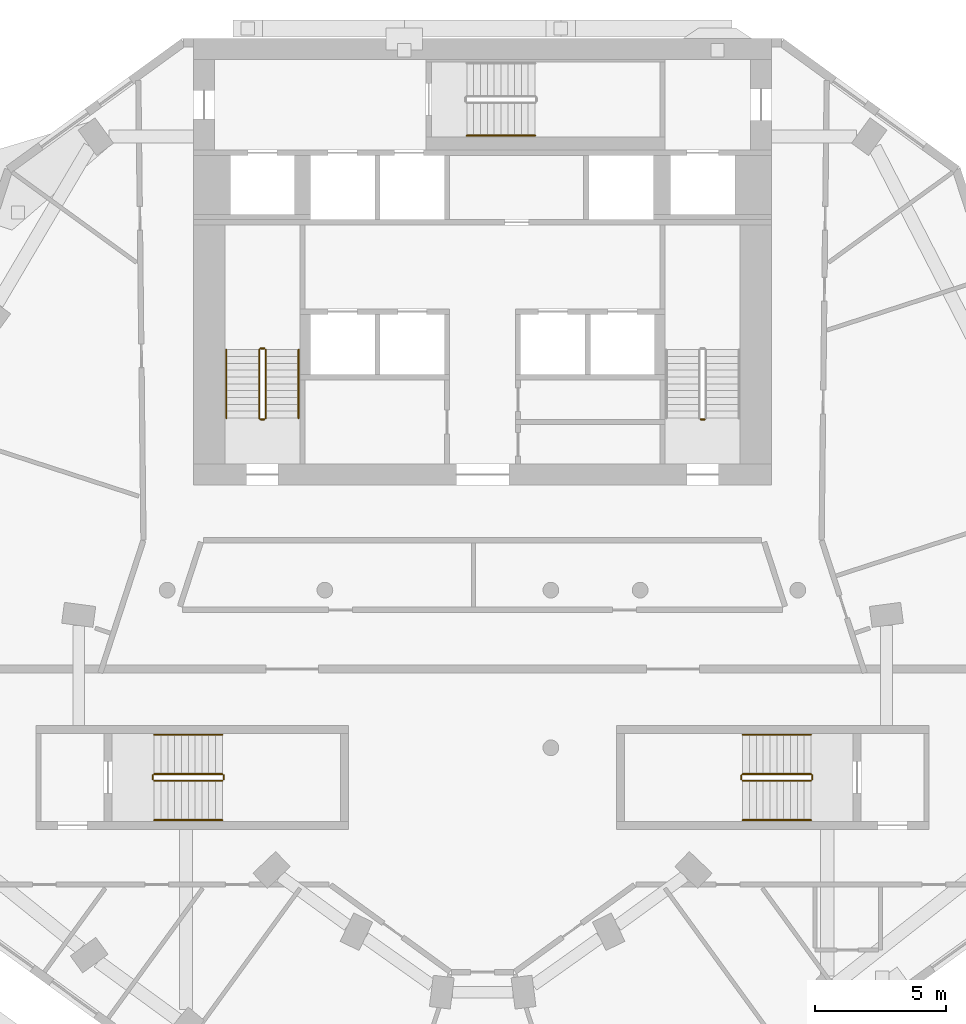
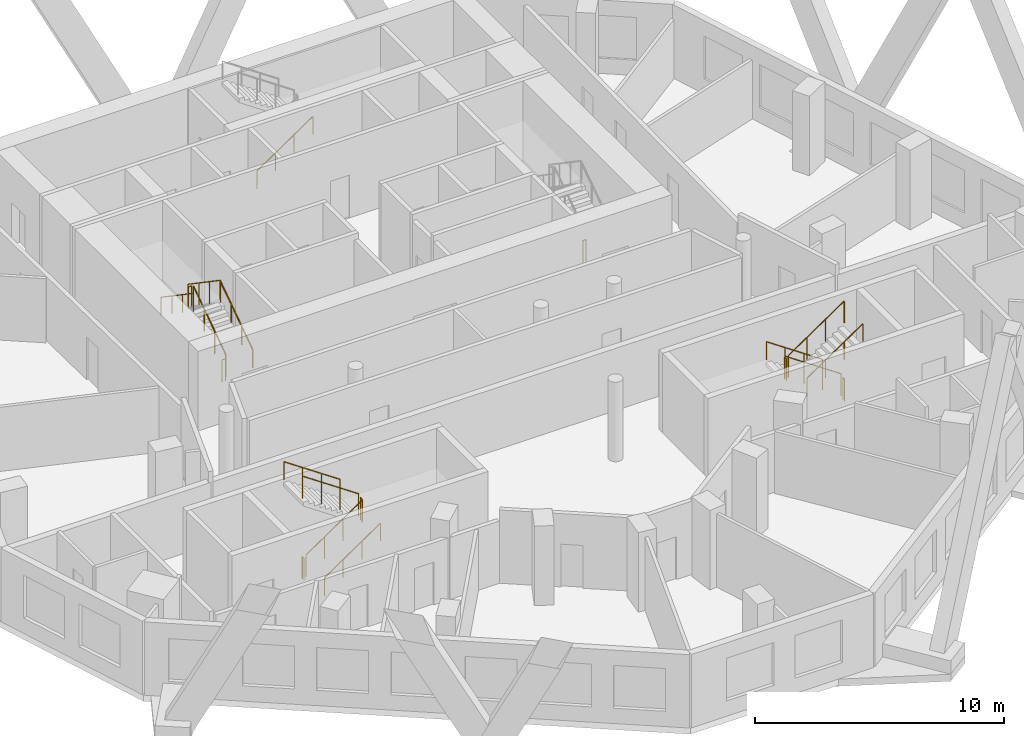
# One storey, part 9 of 10: 20 railings.
"""IFC4 building model written with IfcOpenShell, lengths in metres."""

from ifc_helpers import new_model, si_unit, direction, frame, origin, origin_2d, place, context, subcontext, project, spatial, circle, extrude, material, type_object, element, save


model = new_model("IFC4")

# Units and contexts
model_context = context("Model", 3, precision=1e-05, world=origin(), true_north=direction((0.0, 1.0)))
body_context = subcontext(model_context, "Body", "Model", "MODEL_VIEW")
ifc_project = project(units=[si_unit("LENGTHUNIT", "METRE"), si_unit("AREAUNIT", "SQUARE_METRE"), si_unit("VOLUMEUNIT", "CUBIC_METRE"), si_unit("PLANEANGLEUNIT", "RADIAN"), si_unit("MASSUNIT", "GRAM", prefix="KILO")], contexts=[model_context])

# Site, building, storey
site_placement = place(None, origin())
site = spatial("IfcSite", under=ifc_project, at=site_placement, CompositionType="ELEMENT")
building_placement = place(site_placement, origin())
building = spatial("IfcBuilding", under=site, at=building_placement, Name="White Candle Pilgrim Tower", CompositionType="ELEMENT")
storey_placement = place(building_placement, frame((0.0, 0.0, 219.89990234375)))
storey = spatial("IfcBuildingStorey", under=building, at=storey_placement, Name="L51", CompositionType="ELEMENT", Elevation=219.89990234375)

# Railings
ifc_material = material(Name="Stainless steel", Category="steel")
railing_type_1 = type_object("IfcRailingType", Name="Stair guard stainless steel 1100 mm", PredefinedType="GUARDRAIL", material=ifc_material)
railing_1_placement = place(storey_placement, frame((61.75, 73.550048828125, 0.177490234375)))
element("IfcRailing", 1, at=railing_1_placement, inside=storey, type_object=railing_type_1, Name="L51 ST1 stair guard 1", PredefinedType="GUARDRAIL", context=body_context, shape_type="SweptSolid", body=[
    extrude(circle(Radius=0.02392578125, at=origin_2d()), frame((0.0, 0.0, 1.076171875), z_axis=(0.0, 0.826215852431, 0.563353676824), x_axis=(-1.0, 0.0, 0.0)), (0.0, 0.0, 1.0), 3.146728515625),
    extrude(circle(Radius=0.02099609375, at=origin_2d()), origin(), (0.0, 0.0, 1.0), 1.052001953125),
    extrude(circle(Radius=0.02099609375, at=origin_2d()), frame((0.0, 0.86669921875, 0.5908203125)), (0.0, 0.0, 1.0), 1.052001953125),
    extrude(circle(Radius=0.02099609375, at=origin_2d()), frame((0.0, 1.733154296875, 1.181884765625)), (0.0, 0.0, 1.0), 1.052001953125),
    extrude(circle(Radius=0.02099609375, at=origin_2d()), frame((0.0, 2.599853515625, 1.772705078125)), (0.0, 0.0, 1.0), 1.052001953125),
])
railing_2_placement = place(storey_placement, frame((61.699951171875, 76.199951171875, 1.9501953125)))
element("IfcRailing", 2, at=railing_2_placement, inside=storey, type_object=railing_type_1, Name="L51 ST1 stair guard 2", PredefinedType="GUARDRAIL", context=body_context, shape_type="SweptSolid", body=[
    extrude(circle(Radius=0.02392578125, at=origin_2d()), frame((0.0, 0.0, 1.076171875), z_axis=(-1.0, 0.0, 0.0), x_axis=(0.0, -1.0, 0.0)), (0.0, 0.0, 1.0), 0.14990234375),
    extrude(circle(Radius=0.02099609375, at=origin_2d()), origin(), (0.0, 0.0, 1.0), 1.052001953125),
    extrude(circle(Radius=0.02099609375, at=origin_2d()), frame((-0.14990234375, 0.0, 0.0)), (0.0, 0.0, 1.0), 1.052001953125),
])
railing_3_placement = place(storey_placement, frame((61.5, 76.14990234375, 2.12744140625)))
element("IfcRailing", 3, at=railing_3_placement, inside=storey, type_object=railing_type_1, Name="L51 ST1 stair guard 3", PredefinedType="GUARDRAIL", context=body_context, shape_type="SweptSolid", body=[
    extrude(circle(Radius=0.02392578125, at=origin_2d()), frame((0.0, 0.0, 1.076171875), z_axis=(0.0, -0.826215852431, 0.563353676824), x_axis=(1.0, 0.0, 0.0)), (0.0, 0.0, 1.0), 3.146728515625),
    extrude(circle(Radius=0.02099609375, at=origin_2d()), origin(), (0.0, 0.0, 1.0), 1.052001953125),
    extrude(circle(Radius=0.02099609375, at=origin_2d()), frame((0.0, -0.86669921875, 0.5908203125)), (0.0, 0.0, 1.0), 1.052001953125),
    extrude(circle(Radius=0.02099609375, at=origin_2d()), frame((0.0, -1.733154296875, 1.181884765625)), (0.0, 0.0, 1.0), 1.052001953125),
    extrude(circle(Radius=0.02099609375, at=origin_2d()), frame((0.0, -2.599853515625, 1.772705078125)), (0.0, 0.0, 1.0), 1.052001953125),
])
for number, where, name in (
    (4, (61.699951171875, 73.5, 0.0), "L51 ST1 stair guard 4"),
    (5, (78.449951171875, 73.5, 0.0), "L51 ST2 stair guard 4"),
):
    element("IfcRailing", number, at=place(storey_placement, frame(where)), inside=storey, type_object=railing_type_1, Name=name, PredefinedType="GUARDRAIL", context=body_context, shape_type="SweptSolid", body=[
        extrude(circle(Radius=0.02392578125, at=origin_2d()), frame((0.0, 0.0, 1.076171875), z_axis=(-1.0, 0.0, 0.0), x_axis=(0.0, -1.0, 0.0)), (0.0, 0.0, 1.0), 0.14990234375),
        extrude(circle(Radius=0.02099609375, at=origin_2d()), origin(), (0.0, 0.0, 1.0), 1.052001953125),
        extrude(circle(Radius=0.02099609375, at=origin_2d()), frame((-0.14990234375, 0.0, 0.0)), (0.0, 0.0, 1.0), 1.052001953125),
    ])
railing_4_placement = place(storey_placement, frame((82.5, 60.0, 0.177490234375)))
element("IfcRailing", 6, at=railing_4_placement, inside=storey, type_object=railing_type_1, Name="L51 ST4 stair guard 1", PredefinedType="GUARDRAIL", context=body_context, shape_type="SweptSolid", body=[
    extrude(circle(Radius=0.02392578125, at=origin_2d()), frame((0.0, 0.0, 1.076171875), z_axis=(-0.826240473404, 0.0, 0.563317565952), x_axis=(0.0, -1.0, 0.0)), (0.0, 0.0, 1.0), 3.14697265625),
    extrude(circle(Radius=0.02099609375, at=origin_2d()), origin(), (0.0, 0.0, 1.0), 1.052001953125),
    extrude(circle(Radius=0.02099609375, at=origin_2d()), frame((-0.86669921875, 0.0, 0.5908203125)), (0.0, 0.0, 1.0), 1.052001953125),
    extrude(circle(Radius=0.02099609375, at=origin_2d()), frame((-1.7333984375, 0.0, 1.181884765625)), (0.0, 0.0, 1.0), 1.052001953125),
    extrude(circle(Radius=0.02099609375, at=origin_2d()), frame((-2.60009765625, 0.0, 1.772705078125)), (0.0, 0.0, 1.0), 1.052001953125),
])
railing_5_placement = place(storey_placement, frame((79.85009765625, 59.949951171875, 1.9501953125)))
element("IfcRailing", 7, at=railing_5_placement, inside=storey, type_object=railing_type_1, Name="L51 ST4 stair guard 2", PredefinedType="GUARDRAIL", context=body_context, shape_type="SweptSolid", body=[
    extrude(circle(Radius=0.02392578125, at=origin_2d()), frame((0.0, 0.0, 1.076171875), z_axis=(0.0, -1.0, 0.0), x_axis=(1.0, 0.0, 0.0)), (0.0, 0.0, 1.0), 0.14990234375),
    extrude(circle(Radius=0.02099609375, at=origin_2d()), origin(), (0.0, 0.0, 1.0), 1.052001953125),
    extrude(circle(Radius=0.02099609375, at=origin_2d()), frame((0.0, -0.14990234375, 0.0)), (0.0, 0.0, 1.0), 1.052001953125),
])
railing_6_placement = place(storey_placement, frame((79.89990234375, 59.75, 2.12744140625)))
element("IfcRailing", 8, at=railing_6_placement, inside=storey, type_object=railing_type_1, Name="L51 ST4 stair guard 3", PredefinedType="GUARDRAIL", context=body_context, shape_type="SweptSolid", body=[
    extrude(circle(Radius=0.02392578125, at=origin_2d()), frame((0.0, 0.0, 1.076171875), z_axis=(0.826240473404, 0.0, 0.563317565952), x_axis=(0.0, 1.0, 0.0)), (0.0, 0.0, 1.0), 3.14697265625),
    extrude(circle(Radius=0.02099609375, at=origin_2d()), origin(), (0.0, 0.0, 1.0), 1.052001953125),
    extrude(circle(Radius=0.02099609375, at=origin_2d()), frame((0.86669921875, 0.0, 0.5908203125)), (0.0, 0.0, 1.0), 1.052001953125),
    extrude(circle(Radius=0.02099609375, at=origin_2d()), frame((1.7333984375, 0.0, 1.181884765625)), (0.0, 0.0, 1.0), 1.052001953125),
    extrude(circle(Radius=0.02099609375, at=origin_2d()), frame((2.60009765625, 0.0, 1.772705078125)), (0.0, 0.0, 1.0), 1.052001953125),
])
railing_7_placement = place(storey_placement, frame((82.550048828125, 59.949951171875, 0.0)))
element("IfcRailing", 9, at=railing_7_placement, inside=storey, type_object=railing_type_1, Name="L51 ST4 stair guard 4", PredefinedType="GUARDRAIL", context=body_context, shape_type="SweptSolid", body=[
    extrude(circle(Radius=0.02392578125, at=origin_2d()), frame((0.0, 0.0, 1.076171875), z_axis=(0.0, -1.0, 0.0), x_axis=(1.0, 0.0, 0.0)), (0.0, 0.0, 1.0), 0.14990234375),
    extrude(circle(Radius=0.02099609375, at=origin_2d()), origin(), (0.0, 0.0, 1.0), 1.052001953125),
    extrude(circle(Radius=0.02099609375, at=origin_2d()), frame((0.0, -0.14990234375, 0.0)), (0.0, 0.0, 1.0), 1.052001953125),
])
railing_8_placement = place(storey_placement, frame((57.5, 59.75, 0.177490234375)))
element("IfcRailing", 10, at=railing_8_placement, inside=storey, type_object=railing_type_1, Name="L51 ST5 stair guard 1", PredefinedType="GUARDRAIL", context=body_context, shape_type="SweptSolid", body=[
    extrude(circle(Radius=0.02392578125, at=origin_2d()), frame((0.0, 0.0, 1.076171875), z_axis=(0.826240473404, 0.0, 0.563317565952), x_axis=(0.0, 1.0, 0.0)), (0.0, 0.0, 1.0), 3.14697265625),
    extrude(circle(Radius=0.02099609375, at=origin_2d()), origin(), (0.0, 0.0, 1.0), 1.052001953125),
    extrude(circle(Radius=0.02099609375, at=origin_2d()), frame((0.86669921875, 0.0, 0.5908203125)), (0.0, 0.0, 1.0), 1.052001953125),
    extrude(circle(Radius=0.02099609375, at=origin_2d()), frame((1.7333984375, 0.0, 1.181884765625)), (0.0, 0.0, 1.0), 1.052001953125),
    extrude(circle(Radius=0.02099609375, at=origin_2d()), frame((2.60009765625, 0.0, 1.772705078125)), (0.0, 0.0, 1.0), 1.052001953125),
])
railing_9_placement = place(storey_placement, frame((60.14990234375, 59.800048828125, 1.9501953125)))
element("IfcRailing", 11, at=railing_9_placement, inside=storey, type_object=railing_type_1, Name="L51 ST5 stair guard 2", PredefinedType="GUARDRAIL", context=body_context, shape_type="SweptSolid", body=[
    extrude(circle(Radius=0.02392578125, at=origin_2d()), frame((0.0, 0.0, 1.076171875), z_axis=(0.0, 1.0, 0.0), x_axis=(-1.0, 0.0, 0.0)), (0.0, 0.0, 1.0), 0.14990234375),
    extrude(circle(Radius=0.02099609375, at=origin_2d()), origin(), (0.0, 0.0, 1.0), 1.052001953125),
    extrude(circle(Radius=0.02099609375, at=origin_2d()), frame((0.0, 0.14990234375, 0.0)), (0.0, 0.0, 1.0), 1.052001953125),
])
railing_10_placement = place(storey_placement, frame((60.10009765625, 60.0, 2.12744140625)))
element("IfcRailing", 12, at=railing_10_placement, inside=storey, type_object=railing_type_1, Name="L51 ST5 stair guard 3", PredefinedType="GUARDRAIL", context=body_context, shape_type="SweptSolid", body=[
    extrude(circle(Radius=0.02392578125, at=origin_2d()), frame((0.0, 0.0, 1.076171875), z_axis=(-0.826240473404, 0.0, 0.563317565952), x_axis=(0.0, -1.0, 0.0)), (0.0, 0.0, 1.0), 3.14697265625),
    extrude(circle(Radius=0.02099609375, at=origin_2d()), origin(), (0.0, 0.0, 1.0), 1.052001953125),
    extrude(circle(Radius=0.02099609375, at=origin_2d()), frame((-0.86669921875, 0.0, 0.5908203125)), (0.0, 0.0, 1.0), 1.052001953125),
    extrude(circle(Radius=0.02099609375, at=origin_2d()), frame((-1.7333984375, 0.0, 1.181884765625)), (0.0, 0.0, 1.0), 1.052001953125),
    extrude(circle(Radius=0.02099609375, at=origin_2d()), frame((-2.60009765625, 0.0, 1.772705078125)), (0.0, 0.0, 1.0), 1.052001953125),
])
railing_11_placement = place(storey_placement, frame((57.449951171875, 59.800048828125, 0.0)))
element("IfcRailing", 13, at=railing_11_placement, inside=storey, type_object=railing_type_1, Name="L51 ST5 stair guard 4", PredefinedType="GUARDRAIL", context=body_context, shape_type="SweptSolid", body=[
    extrude(circle(Radius=0.02392578125, at=origin_2d()), frame((0.0, 0.0, 1.076171875), z_axis=(0.0, 1.0, 0.0), x_axis=(-1.0, 0.0, 0.0)), (0.0, 0.0, 1.0), 0.14990234375),
    extrude(circle(Radius=0.02099609375, at=origin_2d()), origin(), (0.0, 0.0, 1.0), 1.052001953125),
    extrude(circle(Radius=0.02099609375, at=origin_2d()), frame((0.0, 0.14990234375, 0.0)), (0.0, 0.0, 1.0), 1.052001953125),
])
railing_type_2 = type_object("IfcRailingType", Name="Stair handrail stainless steel", PredefinedType="HANDRAIL", material=ifc_material)
railing_12_placement = place(storey_placement, frame((63.0, 73.550048828125, 0.177490234375)))
element("IfcRailing", 14, at=railing_12_placement, inside=storey, type_object=railing_type_2, Name="L51 ST1 stair handrail 1", PredefinedType="HANDRAIL", context=body_context, shape_type="SweptSolid", body=[
    extrude(circle(Radius=0.02392578125, at=origin_2d()), frame((0.0, 0.0, 0.8759765625), z_axis=(0.0, 0.826215852431, 0.563353676824), x_axis=(-1.0, 0.0, 0.0)), (0.0, 0.0, 1.0), 3.146728515625),
    extrude(circle(Radius=0.02099609375, at=origin_2d()), origin(), (0.0, 0.0, 1.0), 0.851806640625),
    extrude(circle(Radius=0.02099609375, at=origin_2d()), frame((0.0, 0.86669921875, 0.5908203125)), (0.0, 0.0, 1.0), 0.851806640625),
    extrude(circle(Radius=0.02099609375, at=origin_2d()), frame((0.0, 1.733154296875, 1.181884765625)), (0.0, 0.0, 1.0), 0.851806640625),
    extrude(circle(Radius=0.02099609375, at=origin_2d()), frame((0.0, 2.599853515625, 1.772705078125)), (0.0, 0.0, 1.0), 0.851806640625),
])
railing_13_placement = place(storey_placement, frame((60.25, 76.14990234375, 2.12744140625)))
element("IfcRailing", 15, at=railing_13_placement, inside=storey, type_object=railing_type_2, Name="L51 ST1 stair handrail 2", PredefinedType="HANDRAIL", context=body_context, shape_type="SweptSolid", body=[
    extrude(circle(Radius=0.02392578125, at=origin_2d()), frame((0.0, 0.0, 0.8759765625), z_axis=(0.0, -0.826215852431, 0.563353676824), x_axis=(1.0, 0.0, 0.0)), (0.0, 0.0, 1.0), 3.146728515625),
    extrude(circle(Radius=0.02099609375, at=origin_2d()), origin(), (0.0, 0.0, 1.0), 0.851806640625),
    extrude(circle(Radius=0.02099609375, at=origin_2d()), frame((0.0, -0.86669921875, 0.5908203125)), (0.0, 0.0, 1.0), 0.851806640625),
    extrude(circle(Radius=0.02099609375, at=origin_2d()), frame((0.0, -1.733154296875, 1.181884765625)), (0.0, 0.0, 1.0), 0.851806640625),
    extrude(circle(Radius=0.02099609375, at=origin_2d()), frame((0.0, -2.599853515625, 1.772705078125)), (0.0, 0.0, 1.0), 0.851806640625),
])
railing_14_placement = place(storey_placement, frame((69.39990234375, 84.300048828125, 0.177490234375)))
element("IfcRailing", 16, at=railing_14_placement, inside=storey, type_object=railing_type_2, Name="L51 ST3 stair handrail 1", PredefinedType="HANDRAIL", context=body_context, shape_type="SweptSolid", body=[
    extrude(circle(Radius=0.02392578125, at=origin_2d()), frame((0.0, 0.0, 0.8759765625), z_axis=(0.826240473404, 0.0, 0.563317565952), x_axis=(0.0, 1.0, 0.0)), (0.0, 0.0, 1.0), 3.14697265625),
    extrude(circle(Radius=0.02099609375, at=origin_2d()), origin(), (0.0, 0.0, 1.0), 0.851806640625),
    extrude(circle(Radius=0.02099609375, at=origin_2d()), frame((0.86669921875, 0.0, 0.5908203125)), (0.0, 0.0, 1.0), 0.851806640625),
    extrude(circle(Radius=0.02099609375, at=origin_2d()), frame((1.7333984375, 0.0, 1.181884765625)), (0.0, 0.0, 1.0), 0.851806640625),
    extrude(circle(Radius=0.02099609375, at=origin_2d()), frame((2.60009765625, 0.0, 1.772705078125)), (0.0, 0.0, 1.0), 0.851806640625),
])
railing_15_placement = place(storey_placement, frame((82.5, 61.5, 0.177490234375)))
element("IfcRailing", 17, at=railing_15_placement, inside=storey, type_object=railing_type_2, Name="L51 ST4 stair handrail 1", PredefinedType="HANDRAIL", context=body_context, shape_type="SweptSolid", body=[
    extrude(circle(Radius=0.02392578125, at=origin_2d()), frame((0.0, 0.0, 0.8759765625), z_axis=(-0.826240473404, 0.0, 0.563317565952), x_axis=(0.0, -1.0, 0.0)), (0.0, 0.0, 1.0), 3.14697265625),
    extrude(circle(Radius=0.02099609375, at=origin_2d()), origin(), (0.0, 0.0, 1.0), 0.851806640625),
    extrude(circle(Radius=0.02099609375, at=origin_2d()), frame((-0.86669921875, 0.0, 0.5908203125)), (0.0, 0.0, 1.0), 0.851806640625),
    extrude(circle(Radius=0.02099609375, at=origin_2d()), frame((-1.7333984375, 0.0, 1.181884765625)), (0.0, 0.0, 1.0), 0.851806640625),
    extrude(circle(Radius=0.02099609375, at=origin_2d()), frame((-2.60009765625, 0.0, 1.772705078125)), (0.0, 0.0, 1.0), 0.851806640625),
])
for number, where, name in (
    (18, (79.89990234375, 58.25, 2.12744140625), "L51 ST4 stair handrail 2"),
    (19, (57.5, 58.25, 0.177490234375), "L51 ST5 stair handrail 1"),
):
    element("IfcRailing", number, at=place(storey_placement, frame(where)), inside=storey, type_object=railing_type_2, Name=name, PredefinedType="HANDRAIL", context=body_context, shape_type="SweptSolid", body=[
        extrude(circle(Radius=0.02392578125, at=origin_2d()), frame((0.0, 0.0, 0.8759765625), z_axis=(0.826240473404, 0.0, 0.563317565952), x_axis=(0.0, 1.0, 0.0)), (0.0, 0.0, 1.0), 3.14697265625),
        extrude(circle(Radius=0.02099609375, at=origin_2d()), origin(), (0.0, 0.0, 1.0), 0.851806640625),
        extrude(circle(Radius=0.02099609375, at=origin_2d()), frame((0.86669921875, 0.0, 0.5908203125)), (0.0, 0.0, 1.0), 0.851806640625),
        extrude(circle(Radius=0.02099609375, at=origin_2d()), frame((1.7333984375, 0.0, 1.181884765625)), (0.0, 0.0, 1.0), 0.851806640625),
        extrude(circle(Radius=0.02099609375, at=origin_2d()), frame((2.60009765625, 0.0, 1.772705078125)), (0.0, 0.0, 1.0), 0.851806640625),
    ])
railing_16_placement = place(storey_placement, frame((60.10009765625, 61.5, 2.12744140625)))
element("IfcRailing", 20, at=railing_16_placement, inside=storey, type_object=railing_type_2, Name="L51 ST5 stair handrail 2", PredefinedType="HANDRAIL", context=body_context, shape_type="SweptSolid", body=[
    extrude(circle(Radius=0.02392578125, at=origin_2d()), frame((0.0, 0.0, 0.8759765625), z_axis=(-0.826240473404, 0.0, 0.563317565952), x_axis=(0.0, -1.0, 0.0)), (0.0, 0.0, 1.0), 3.14697265625),
    extrude(circle(Radius=0.02099609375, at=origin_2d()), origin(), (0.0, 0.0, 1.0), 0.851806640625),
    extrude(circle(Radius=0.02099609375, at=origin_2d()), frame((-0.86669921875, 0.0, 0.5908203125)), (0.0, 0.0, 1.0), 0.851806640625),
    extrude(circle(Radius=0.02099609375, at=origin_2d()), frame((-1.7333984375, 0.0, 1.181884765625)), (0.0, 0.0, 1.0), 0.851806640625),
    extrude(circle(Radius=0.02099609375, at=origin_2d()), frame((-2.60009765625, 0.0, 1.772705078125)), (0.0, 0.0, 1.0), 0.851806640625),
])

save(model, "model.ifc")
